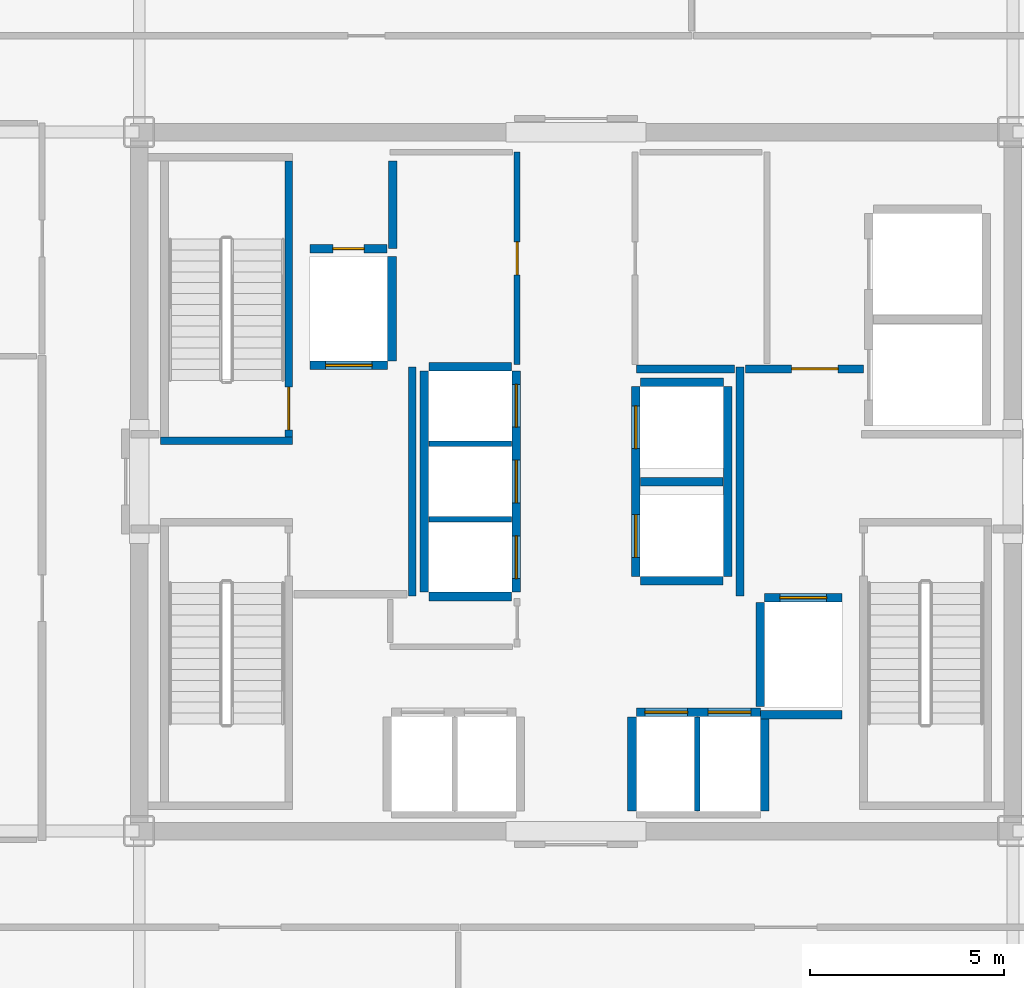
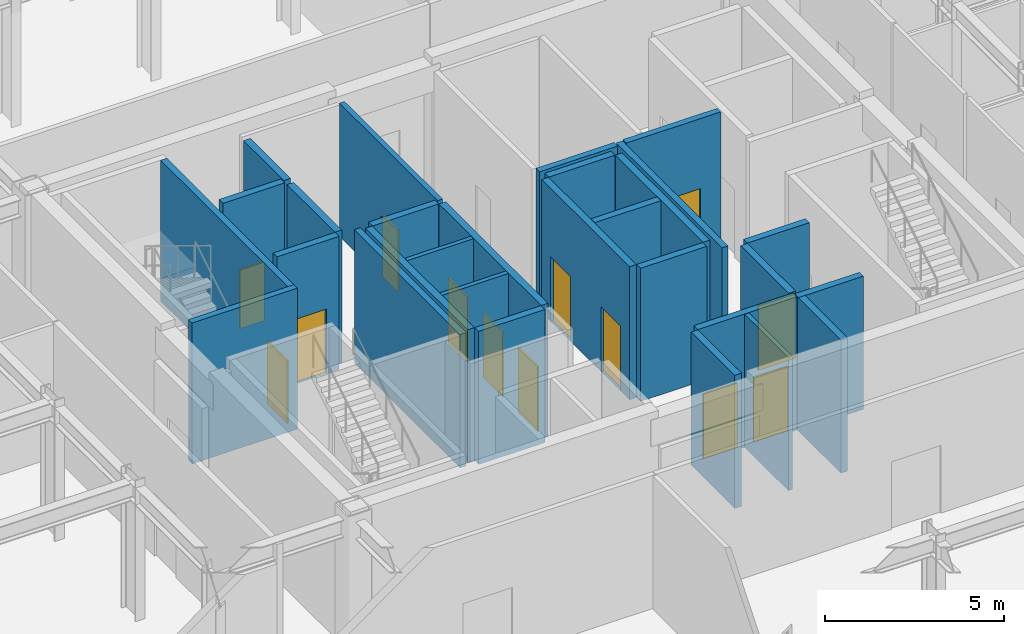
# One storey, part 15 of 20: 29 walls, 13 doors, 13 openings.
"""IFC4 building model written with IfcOpenShell, lengths in metres."""

import ifcopenshell
import ifcopenshell.guid

model = None  # the IFC model being written
_history = None  # IfcOwnerHistory: only IFC2X3 demands one
_inside = {}  # id of a spatial element -> (the spatial element, [elements in it])
_under = {}  # id of a project, library or spatial element -> (it, [spatial elements below it])
_declared = {}  # id of a project -> (the project, [libraries it declares])
_typed = {}  # id of a type object -> (the type object, [elements of that type])
_made_of = {}  # id of a material, layer set ... -> (it, [elements and type objects made of it])


def new_model(schema):
    """Start an empty IFC model of exactly this schema.

    Asked for "IFC4X3", IfcOpenShell would pick the latest addendum, in which some entities
    have other attributes; the version numbers below select the first issue.
    IFC2X3 requires an IfcOwnerHistory on every rooted entity: one is made here for all.
    """
    global model, _history
    if schema == "IFC4X3":
        model = ifcopenshell.file(schema_version=(4, 3, 0, 0))
    else:
        model = ifcopenshell.file(schema=schema)
    _inside.clear()
    _under.clear()
    _declared.clear()
    _typed.clear()
    _made_of.clear()
    _history = None
    if model.schema == "IFC2X3":
        org = make("IfcOrganization", Name="unknown")
        user = make(
            "IfcPersonAndOrganization",
            ThePerson=make("IfcPerson", FamilyName="unknown"),
            TheOrganization=org,
        )
        app = make(
            "IfcApplication",
            ApplicationDeveloper=org,
            Version="unknown",
            ApplicationFullName="unknown",
            ApplicationIdentifier="unknown",
        )
        _history = make(
            "IfcOwnerHistory",
            OwningUser=user,
            OwningApplication=app,
            ChangeAction="ADDED",
            CreationDate=0,
        )
    return model


def make(cls, **values):
    """One entity of the class cls with the attributes given. An attribute that is None is left unset."""
    return model.create_entity(
        cls, **{name: value for name, value in values.items() if value is not None}
    )


def rooted(cls, **values):
    """An entity with a GlobalId (a new one), such as an element, a storey or a relation."""
    return make(cls, GlobalId=ifcopenshell.guid.new(), OwnerHistory=_history, **values)


def si_unit(unit_type, name, prefix=None):
    """IfcSIUnit, for example si_unit("LENGTHUNIT", "METRE", prefix="MILLI")."""
    return make("IfcSIUnit", UnitType=unit_type, Prefix=prefix, Name=name)


def assignment(units):
    """IfcUnitAssignment: the units of a project."""
    return None if units is None else make("IfcUnitAssignment", Units=units)


def point(xyz):
    """IfcCartesianPoint."""
    return None if xyz is None else make("IfcCartesianPoint", Coordinates=xyz)


def direction(xyz):
    """IfcDirection."""
    return None if xyz is None else make("IfcDirection", DirectionRatios=xyz)


def frame(location, z_axis=None, x_axis=None):
    """IfcAxis2Placement3D, a coordinate frame: its origin and axes. An axis left out is left unset."""
    return make(
        "IfcAxis2Placement3D",
        Location=point(location),
        Axis=direction(z_axis),
        RefDirection=direction(x_axis),
    )


def frame_2d(location, x_axis=None):
    """IfcAxis2Placement2D, a coordinate frame in the plane: its origin and x axis."""
    return make(
        "IfcAxis2Placement2D", Location=point(location), RefDirection=direction(x_axis)
    )


def origin():
    """The frame at (0, 0, 0) with its axes left unset."""
    return frame((0.0, 0.0, 0.0))


def place(relative_to, where):
    """IfcLocalPlacement: puts the frame where relative to a parent placement (None: the world)."""
    return make(
        "IfcLocalPlacement", PlacementRelTo=relative_to, RelativePlacement=where
    )


def context(
    kind, dimensions, precision=None, world=None, true_north=None, identifier=None
):
    """IfcGeometricRepresentationContext, for example the 3D "Model" context."""
    return make(
        "IfcGeometricRepresentationContext",
        ContextIdentifier=identifier,
        ContextType=kind,
        CoordinateSpaceDimension=dimensions,
        Precision=precision,
        WorldCoordinateSystem=world,
        TrueNorth=true_north,
    )


def subcontext(parent, identifier, kind, view, scale=None):
    """IfcGeometricRepresentationSubContext, for example "Body" below "Model"."""
    return make(
        "IfcGeometricRepresentationSubContext",
        ContextIdentifier=identifier,
        ContextType=kind,
        ParentContext=parent,
        TargetScale=scale,
        TargetView=view,
    )


def project(units=None, contexts=None):
    """IfcProject with its units and contexts."""
    return rooted(
        "IfcProject",
        Name="project",
        RepresentationContexts=contexts,
        UnitsInContext=assignment(units),
    )


def spatial(cls, under=None, at=None, **own):
    """A site, building, storey or space (cls), placed at a placement, below another one or the project."""
    s = rooted(cls, ObjectPlacement=at, **own)
    if under is not None:
        _under.setdefault(under.id(), (under, []))[1].append(s)
    return s


def profile(cls, at=None, kind="AREA", **sizes):
    """A parametric profile (cls). Its sizes go by their IFC names, for example OverallWidth=200.0."""
    return make(cls, ProfileType=kind, Position=at, **sizes)


def rectangle(**sizes):
    """IfcRectangleProfileDef."""
    return profile("IfcRectangleProfileDef", **sizes)


def extrude(swept, where, along, depth):
    """IfcExtrudedAreaSolid: the profile swept, set in the frame where, extruded along a direction by depth."""
    return make(
        "IfcExtrudedAreaSolid",
        SweptArea=swept,
        Position=where,
        ExtrudedDirection=direction(along),
        Depth=depth,
    )


def shape(context_of_items, identifier, shape_type, items):
    """IfcShapeRepresentation: the items that make up one representation, for example the "Body"."""
    return make(
        "IfcShapeRepresentation",
        ContextOfItems=context_of_items,
        RepresentationIdentifier=identifier,
        RepresentationType=shape_type,
        Items=items,
    )


def source(mapping_origin, context_of_items, identifier, shape_type, items):
    """IfcRepresentationMap: a shape defined once, which mapped items show again and again."""
    return make(
        "IfcRepresentationMap",
        MappingOrigin=mapping_origin,
        MappedRepresentation=shape(context_of_items, identifier, shape_type, items),
    )


def transform(
    local_origin,
    x_axis=None,
    y_axis=None,
    z_axis=None,
    scale=None,
    scale2=None,
    scale3=None,
    uniform=True,
):
    """IfcCartesianTransformationOperator3D, or its non-uniform kind. x_axis, y_axis, z_axis: its Axis1, 2, 3."""
    if uniform:
        return make(
            "IfcCartesianTransformationOperator3D",
            Axis1=direction(x_axis),
            Axis2=direction(y_axis),
            LocalOrigin=point(local_origin),
            Scale=scale,
            Axis3=direction(z_axis),
        )
    return make(
        "IfcCartesianTransformationOperator3DnonUniform",
        Axis1=direction(x_axis),
        Axis2=direction(y_axis),
        LocalOrigin=point(local_origin),
        Scale=scale,
        Axis3=direction(z_axis),
        Scale2=scale2,
        Scale3=scale3,
    )


def mapped(mapping_source, mapping_target):
    """IfcMappedItem: shows the shape of a source again, moved by a transform."""
    return make(
        "IfcMappedItem", MappingSource=mapping_source, MappingTarget=mapping_target
    )


def material(Name=None, Category=None):
    """IfcMaterial."""
    return make("IfcMaterial", Name=Name, Category=Category)


def layer(
    of_material, thickness, ventilated=None, Name=None, Category=None, Priority=None
):
    """IfcMaterialLayer: one layer of a wall or slab, of a material (None: an air gap)."""
    return make(
        "IfcMaterialLayer",
        Material=of_material,
        LayerThickness=thickness,
        IsVentilated=ventilated,
        Name=Name,
        Category=Category,
        Priority=Priority,
    )


def layer_set(layers, Name=None):
    """IfcMaterialLayerSet."""
    return make("IfcMaterialLayerSet", MaterialLayers=layers, LayerSetName=Name)


def made_of(thing, what):
    """Note that an element or type object is made of a material, layer set ...; save() writes the relation."""
    if what is not None:
        _made_of.setdefault(what.id(), (what, []))[1].append(thing)
    return thing


def type_object(cls, material=None, **own):
    """A type object (cls), such as IfcWallType, which elements share."""
    return made_of(rooted(cls, **own), material)


def element(
    cls,
    number,
    at=None,
    inside=None,
    cuts=None,
    type_object=None,
    material=None,
    context=None,
    identifier="Body",
    shape_type=None,
    held_by="IfcProductDefinitionShape",
    body=None,
    shapes=None,
    **own,
):
    """One element of the class cls, such as IfcWall. Its Tag is "e" and its number.

    at: its placement. inside: the storey or other place that contains it. cuts: it is an
    opening in that element (IfcRelVoidsElement). A single representation is given by context,
    identifier, shape_type and body (its items); several are given by shapes. held_by: the class
    of the entity that holds the representations. save() writes the other relations.
    """
    e = rooted(cls, Tag="e%d" % number, ObjectPlacement=at, **own)
    if body is not None:
        shapes = [shape(context, identifier, shape_type, body)]
    if shapes is not None:
        e.Representation = make(held_by, Representations=shapes)
    if inside is not None:
        _inside.setdefault(inside.id(), (inside, []))[1].append(e)
    if cuts is not None:
        rooted(
            "IfcRelVoidsElement", RelatingBuildingElement=cuts, RelatedOpeningElement=e
        )
    if type_object is not None:
        _typed.setdefault(type_object.id(), (type_object, []))[1].append(e)
    return made_of(e, material)


def fill(opening, filler):
    """IfcRelFillsElement: the door or window that sits in an opening."""
    return rooted(
        "IfcRelFillsElement",
        RelatingOpeningElement=opening,
        RelatedBuildingElement=filler,
    )


def aggregate(whole, parts):
    """IfcRelAggregates: a whole, such as a stair, and the parts it consists of."""
    return rooted("IfcRelAggregates", RelatingObject=whole, RelatedObjects=parts)


def save(model, path):
    """Write the relations noted so far, then the file.

    IfcRelAggregates (storeys below a building ...), IfcRelContainedInSpatialStructure (elements
    in a storey), IfcRelDefinesByType, IfcRelAssociatesMaterial and IfcRelDeclares: one each for
    every whole, place, type object, material and project.
    """
    for whole, parts in _under.values():
        aggregate(whole, parts)
    for where, things in _inside.values():
        rooted(
            "IfcRelContainedInSpatialStructure",
            RelatedElements=things,
            RelatingStructure=where,
        )
    for kind, things in _typed.values():
        rooted("IfcRelDefinesByType", RelatedObjects=things, RelatingType=kind)
    for what, things in _made_of.values():
        rooted("IfcRelAssociatesMaterial", RelatedObjects=things, RelatingMaterial=what)
    for by, libraries in _declared.values():
        rooted("IfcRelDeclares", RelatingContext=by, RelatedDefinitions=libraries)
    model.write(path)


model = new_model("IFC4")

# Units and contexts
model_context = context("Model", 3, precision=1e-05, world=origin(), true_north=direction((0.0, 1.0)))
body_context = subcontext(model_context, "Body", "Model", "MODEL_VIEW")
ifc_project = project(units=[si_unit("LENGTHUNIT", "METRE"), si_unit("AREAUNIT", "SQUARE_METRE"), si_unit("VOLUMEUNIT", "CUBIC_METRE"), si_unit("PLANEANGLEUNIT", "RADIAN"), si_unit("MASSUNIT", "GRAM", prefix="KILO")], contexts=[model_context])

# Site, building, storey
site_placement = place(None, origin())
site = spatial("IfcSite", under=ifc_project, at=site_placement, CompositionType="ELEMENT")
building_placement = place(site_placement, origin())
building = spatial("IfcBuilding", under=site, at=building_placement, Name="Nefas-Gora Pilgrimage Tower", CompositionType="ELEMENT")
storey_placement = place(building_placement, frame((0.0, 0.0, 259.800048828125)))
storey = spatial("IfcBuildingStorey", under=building, at=storey_placement, Name="L65", CompositionType="ELEMENT", Elevation=259.800048828125)

# Wall
ifc_material_1 = material(Name="Concrete C45/55", Category="concrete")
ifc_layer_1 = layer(ifc_material_1, 0.199951171875)
ifc_layer_set_1 = layer_set([ifc_layer_1], Name="Concrete C45/55")
wall_type_1 = type_object("IfcWallType", Name="IW-STAIR-200", PredefinedType="SOLIDWALL", material=ifc_layer_set_1)
shared_shape_1 = source(origin(), body_context, "Body", "SweptSolid", [
    extrude(rectangle(XDim=3.39990234375, YDim=0.199951171875, at=frame_2d((1.699951171875, 0.0))), origin(), (0.0, 0.0, 1.0), 4.800048828125),
])
wall_1_placement = place(storey_placement, frame((-7.300048828125, 1.050048828125, 0.0), z_axis=(0.0, 0.0, 1.0), x_axis=(-1.0, 0.0, 0.0)))
element("IfcWall", 1, at=wall_1_placement, inside=storey, type_object=wall_type_1, Name="L65 Stairwell Shear Wall ST-01-near", PredefinedType="SOLIDWALL", context=body_context, shape_type="MappedRepresentation", body=[
    mapped(shared_shape_1, transform((0.0, 0.0, 0.0), x_axis=(1.0, 0.0, 0.0), y_axis=(0.0, 1.0, 0.0), z_axis=(0.0, 0.0, 1.0), scale=1.0)),
])

# Wall, opening, door
shared_shape_2 = source(origin(), body_context, "Body", "SweptSolid", [
    extrude(rectangle(XDim=7.10009765625, YDim=0.199951171875, at=frame_2d((3.550048828125, 0.0))), origin(), (0.0, 0.0, 1.0), 4.800048828125),
])
wall_2_placement = place(storey_placement, frame((-7.39990234375, 1.14990234375, 0.0), z_axis=(0.0, 0.0, 1.0), x_axis=(0.0, 1.0, 0.0)))
wall_2 = element("IfcWall", 2, at=wall_2_placement, inside=storey, type_object=wall_type_1, Name="L65 Stairwell Shear Wall ST-01-left", PredefinedType="SOLIDWALL", context=body_context, shape_type="MappedRepresentation", body=[
    mapped(shared_shape_2, transform((0.0, 0.0, 0.0), x_axis=(1.0, 0.0, 0.0), y_axis=(0.0, 1.0, 0.0), z_axis=(0.0, 0.0, 1.0), scale=1.0)),
])
opening_1_placement = place(wall_2_placement, frame((0.179931640625, 0.0, 0.0)))
opening_1 = element("IfcOpeningElement", 3, at=opening_1_placement, cuts=wall_2, Name="Opening ID-ST1", PredefinedType="OPENING", context=body_context, shape_type="SweptSolid", body=[
    extrude(rectangle(XDim=1.10009765625, YDim=2.14990234375, at=frame_2d((0.550048828125, 1.074951171875))), frame((0.0, 0.10986328125, 0.0), z_axis=(0.0, -1.0, 0.0), x_axis=(1.0, 0.0, 0.0)), (0.0, 0.0, 1.0), 0.219970703125),
])
ifc_material_2 = material(Name="Painted galvanised steel fire stair door", Category="steel")
door_type_1 = type_object("IfcDoorType", Name="DR-INT-STAIR-1100", OperationType="NOTDEFINED", PredefinedType="DOOR", material=ifc_material_2)
shared_shape_3 = source(origin(), body_context, "Body", "SweptSolid", [
    extrude(rectangle(XDim=1.10009765625, YDim=2.14990234375, at=frame_2d((0.550048828125, 1.074951171875))), frame((0.0, 0.02490234375, 0.0), z_axis=(0.0, -1.0, 0.0), x_axis=(1.0, 0.0, 0.0)), (0.0, 0.0, 1.0), 0.050048828125),
])
door_1_placement = place(opening_1_placement, origin())
door_1 = element("IfcDoor", 4, at=door_1_placement, inside=storey, type_object=door_type_1, Name="L65 Protected Exit Stair Door ST-01", OperationType="SINGLE_SWING_LEFT", OverallHeight=2.14990234375, OverallWidth=1.10009765625, PredefinedType="DOOR", context=body_context, shape_type="MappedRepresentation", body=[
    mapped(shared_shape_3, transform((0.0, 0.0, 0.0), x_axis=(1.0, 0.0, 0.0), y_axis=(0.0, 1.0, 0.0), z_axis=(0.0, 0.0, 1.0), scale=1.0)),
])
fill(opening_1, door_1)

ifc_material_3 = material(Name="Concrete C40/50", Category="concrete")
ifc_layer_2 = layer(ifc_material_3, 0.219970703125)
ifc_layer_set_2 = layer_set([ifc_layer_2], Name="Concrete C40/50")
wall_type_2 = type_object("IfcWallType", Name="IW-SHAFT-220", PredefinedType="SOLIDWALL", material=ifc_layer_set_2)
shared_shape_4 = source(origin(), body_context, "Body", "SweptSolid", [
    extrude(rectangle(XDim=2.0, YDim=0.219970703125, at=frame_2d((1.0, 0.0))), origin(), (0.0, 0.0, 1.0), 4.534912109375),
])
wall_3_placement = place(storey_placement, frame((-6.85009765625, 2.989990234375, 0.0), z_axis=(0.0, 0.0, 1.0), x_axis=(1.0, 0.0, 0.0)))
wall_3 = element("IfcWall", 5, at=wall_3_placement, inside=storey, type_object=wall_type_2, Name="L65 Hoistway Wall FFL-01-S", PredefinedType="SOLIDWALL", context=body_context, shape_type="MappedRepresentation", body=[
    mapped(shared_shape_4, transform((0.0, 0.0, 0.0), x_axis=(1.0, 0.0, 0.0), y_axis=(0.0, 1.0, 0.0), z_axis=(0.0, 0.0, 1.0), scale=1.0)),
])
opening_2_placement = place(wall_3_placement, frame((0.39990234375, 0.0, 0.0)))
opening_2 = element("IfcOpeningElement", 6, at=opening_2_placement, cuts=wall_3, Name="Opening LD-FF", PredefinedType="OPENING", context=body_context, shape_type="SweptSolid", body=[
    extrude(rectangle(XDim=1.199951171875, YDim=2.199951171875, at=frame_2d((0.60009765625, 1.10009765625))), frame((0.0, 0.119873046875, 0.0), z_axis=(0.0, -1.0, 0.0), x_axis=(1.0, 0.0, 0.0)), (0.0, 0.0, 1.0), 0.239990234375),
])
ifc_material_4 = material(Name="Fire-service sliding lift landing door")
door_type_2 = type_object("IfcDoorType", Name="DR-LIFT-FSAE-1200", OperationType="SLIDING_TO_LEFT", PredefinedType="DOOR", material=ifc_material_4)
shared_shape_5 = source(origin(), body_context, "Body", "SweptSolid", [
    extrude(rectangle(XDim=1.199951171875, YDim=2.199951171875, at=frame_2d((0.60009765625, 1.10009765625))), frame((0.0, 0.02490234375, 0.0), z_axis=(0.0, -1.0, 0.0), x_axis=(1.0, 0.0, 0.0)), (0.0, 0.0, 1.0), 0.050048828125),
])
door_2_placement = place(opening_2_placement, origin())
door_2 = element("IfcDoor", 7, at=door_2_placement, inside=storey, type_object=door_type_2, Name="L65 Sliding Lift Landing Door FFL-01", OperationType="SLIDING_TO_LEFT", OverallHeight=2.199951171875, OverallWidth=1.199951171875, PredefinedType="DOOR", context=body_context, shape_type="MappedRepresentation", body=[
    mapped(shared_shape_5, transform((0.0, 0.0, 0.0), x_axis=(1.0, 0.0, 0.0), y_axis=(0.0, 1.0, 0.0), z_axis=(0.0, 0.0, 1.0), scale=1.0)),
])
fill(opening_2, door_2)

wall_4_placement = place(storey_placement, frame((6.85009765625, -2.989990234375, 0.0), z_axis=(0.0, 0.0, 1.0), x_axis=(-1.0, 0.0, 0.0)))
wall_4 = element("IfcWall", 8, at=wall_4_placement, inside=storey, type_object=wall_type_2, Name="L65 Hoistway Wall FFL-02-N", PredefinedType="SOLIDWALL", context=body_context, shape_type="MappedRepresentation", body=[
    mapped(shared_shape_4, transform((0.0, 0.0, 0.0), x_axis=(1.0, 0.0, 0.0), y_axis=(0.0, 1.0, 0.0), z_axis=(0.0, 0.0, 1.0), scale=1.0)),
])
opening_3_placement = place(wall_4_placement, frame((0.39990234375, 0.0, 0.0)))
opening_3 = element("IfcOpeningElement", 9, at=opening_3_placement, cuts=wall_4, Name="Opening LD-FF", PredefinedType="OPENING", context=body_context, shape_type="SweptSolid", body=[
    extrude(rectangle(XDim=1.199951171875, YDim=2.199951171875, at=frame_2d((0.60009765625, 1.10009765625))), frame((0.0, 0.119873046875, 0.0), z_axis=(0.0, -1.0, 0.0), x_axis=(1.0, 0.0, 0.0)), (0.0, 0.0, 1.0), 0.239990234375),
])
door_3_placement = place(opening_3_placement, origin())
door_3 = element("IfcDoor", 10, at=door_3_placement, inside=storey, type_object=door_type_2, Name="L65 Sliding Lift Landing Door FFL-02", OperationType="SLIDING_TO_LEFT", OverallHeight=2.199951171875, OverallWidth=1.199951171875, PredefinedType="DOOR", context=body_context, shape_type="MappedRepresentation", body=[
    mapped(shared_shape_5, transform((0.0, 0.0, 0.0), x_axis=(1.0, 0.0, 0.0), y_axis=(0.0, 1.0, 0.0), z_axis=(0.0, 0.0, 1.0), scale=1.0)),
])
fill(opening_3, door_3)

# Walls
shared_shape_6 = source(origin(), body_context, "Body", "SweptSolid", [
    extrude(rectangle(XDim=2.679931640625, YDim=0.219970703125, at=frame_2d((1.33984375, 0.0))), origin(), (0.0, 0.0, 1.0), 4.534912109375),
])
for number, where, z_axis, x_axis, name in (
    (11, (-4.739990234375, 3.110107421875, 0.0), (0.0, 0.0, 1.0), (0.0, 1.0, 0.0), "L65 Hoistway Wall FFL-01-E"),
    (12, (4.739990234375, -3.110107421875, 0.0), (0.0, 0.0, 1.0), (0.0, -1.0, 0.0), "L65 Hoistway Wall FFL-02-W"),
):
    element("IfcWall", number, at=place(storey_placement, frame(where, z_axis=z_axis, x_axis=x_axis)), inside=storey, type_object=wall_type_2, Name=name, PredefinedType="SOLIDWALL", context=body_context, shape_type="MappedRepresentation", body=[
        mapped(shared_shape_6, transform((0.0, 0.0, 0.0), x_axis=(1.0, 0.0, 0.0), y_axis=(0.0, 1.0, 0.0), z_axis=(0.0, 0.0, 1.0), scale=1.0)),
    ])

# Wall, openings, doors
shared_shape_7 = source(origin(), body_context, "Body", "SweptSolid", [
    extrude(rectangle(XDim=3.199951171875, YDim=0.219970703125, at=frame_2d((1.60009765625, 0.0))), origin(), (0.0, 0.0, 1.0), 4.534912109375),
])
wall_5_placement = place(storey_placement, frame((4.75, -5.93994140625, 0.0), z_axis=(0.0, 0.0, 1.0), x_axis=(-1.0, 0.0, 0.0)))
wall_5 = element("IfcWall", 13, at=wall_5_placement, inside=storey, type_object=wall_type_2, Name="L65 Hoistway Wall PL2-E-N", PredefinedType="SOLIDWALL", context=body_context, shape_type="MappedRepresentation", body=[
    mapped(shared_shape_7, transform((0.0, 0.0, 0.0), x_axis=(1.0, 0.0, 0.0), y_axis=(0.0, 1.0, 0.0), z_axis=(0.0, 0.0, 1.0), scale=1.0)),
])
opening_4_placement = place(wall_5_placement, frame((1.875, 0.0, 0.0)))
opening_4 = element("IfcOpeningElement", 14, at=opening_4_placement, cuts=wall_5, Name="Opening LD-01", PredefinedType="OPENING", context=body_context, shape_type="SweptSolid", body=[
    extrude(rectangle(XDim=1.10009765625, YDim=2.199951171875, at=frame_2d((0.550048828125, 1.10009765625))), frame((0.0, 0.119873046875, 0.0), z_axis=(0.0, -1.0, 0.0), x_axis=(1.0, 0.0, 0.0)), (0.0, 0.0, 1.0), 0.239990234375),
])
opening_5_placement = place(wall_5_placement, frame((0.25, 0.0, 0.0)))
opening_5 = element("IfcOpeningElement", 15, at=opening_5_placement, cuts=wall_5, Name="Opening LD-01", PredefinedType="OPENING", context=body_context, shape_type="SweptSolid", body=[
    extrude(rectangle(XDim=1.10009765625, YDim=2.199951171875, at=frame_2d((0.550048828125, 1.10009765625))), frame((0.0, 0.119873046875, 0.0), z_axis=(0.0, -1.0, 0.0), x_axis=(1.0, 0.0, 0.0)), (0.0, 0.0, 1.0), 0.239990234375),
])
ifc_material_5 = material(Name="Brushed stainless sliding lift landing door")
door_type_3 = type_object("IfcDoorType", Name="DR-LIFT-PASS-1100", OperationType="DOUBLE_DOOR_SLIDING", PredefinedType="DOOR", material=ifc_material_5)
shared_shape_8 = source(origin(), body_context, "Body", "SweptSolid", [
    extrude(rectangle(XDim=1.10009765625, YDim=2.199951171875, at=frame_2d((0.550048828125, 1.10009765625))), frame((0.0, 0.02490234375, 0.0), z_axis=(0.0, -1.0, 0.0), x_axis=(1.0, 0.0, 0.0)), (0.0, 0.0, 1.0), 0.050048828125),
])
door_4_placement = place(opening_4_placement, origin())
door_4 = element("IfcDoor", 16, at=door_4_placement, inside=storey, type_object=door_type_3, Name="L65 Sliding Lift Landing Door PL2-03", OperationType="DOUBLE_DOOR_SLIDING", OverallHeight=2.199951171875, OverallWidth=1.10009765625, PredefinedType="DOOR", context=body_context, shape_type="MappedRepresentation", body=[
    mapped(shared_shape_8, transform((0.0, 0.0, 0.0), x_axis=(1.0, 0.0, 0.0), y_axis=(0.0, 1.0, 0.0), z_axis=(0.0, 0.0, 1.0), scale=1.0)),
])
fill(opening_4, door_4)
door_5_placement = place(opening_5_placement, origin())
door_5 = element("IfcDoor", 17, at=door_5_placement, inside=storey, type_object=door_type_3, Name="L65 Sliding Lift Landing Door PL2-04", OperationType="DOUBLE_DOOR_SLIDING", OverallHeight=2.199951171875, OverallWidth=1.10009765625, PredefinedType="DOOR", context=body_context, shape_type="MappedRepresentation", body=[
    mapped(shared_shape_8, transform((0.0, 0.0, 0.0), x_axis=(1.0, 0.0, 0.0), y_axis=(0.0, 1.0, 0.0), z_axis=(0.0, 0.0, 1.0), scale=1.0)),
])
fill(opening_5, door_5)

# Walls
shared_shape_9 = source(origin(), body_context, "Body", "SweptSolid", [
    extrude(rectangle(XDim=2.429931640625, YDim=0.219970703125, at=frame_2d((1.21484375, 0.0))), origin(), (0.0, 0.0, 1.0), 4.534912109375),
])
for number, where, z_axis, x_axis, name in (
    (18, (1.43994140625, -6.06005859375, 0.0), (0.0, 0.0, 1.0), (0.0, -1.0, 0.0), "L65 Hoistway Wall PL2-E-W"),
    (19, (4.860107421875, -8.489990234375, 0.0), (0.0, 0.0, 1.0), (0.0, 1.0, 0.0), "L65 Hoistway Wall PL2-E-E"),
):
    element("IfcWall", number, at=place(storey_placement, frame(where, z_axis=z_axis, x_axis=x_axis)), inside=storey, type_object=wall_type_2, Name=name, PredefinedType="SOLIDWALL", context=body_context, shape_type="MappedRepresentation", body=[
        mapped(shared_shape_9, transform((0.0, 0.0, 0.0), x_axis=(1.0, 0.0, 0.0), y_axis=(0.0, 1.0, 0.0), z_axis=(0.0, 0.0, 1.0), scale=1.0)),
    ])
ifc_material_6 = material(Name="Gypsum twin-stud partition")
ifc_layer_3 = layer(ifc_material_6, 0.139892578125)
ifc_layer_set_3 = layer_set([ifc_layer_3], Name="Gypsum twin-stud partition")
wall_type_3 = type_object("IfcWallType", Name="IW-UNIT-140", PredefinedType="PARTITIONING", material=ifc_layer_set_3)
shared_shape_10 = source(origin(), body_context, "Body", "SweptSolid", [
    extrude(rectangle(XDim=2.429931640625, YDim=0.139892578125, at=frame_2d((1.21484375, 0.0))), origin(), (0.0, 0.0, 1.0), 4.534912109375),
])
wall_6_placement = place(storey_placement, frame((3.125, -8.489990234375, 0.0), z_axis=(0.0, 0.0, 1.0), x_axis=(0.0, 1.0, 0.0)))
element("IfcWall", 20, at=wall_6_placement, inside=storey, type_object=wall_type_3, Name="L65 Hoistway Wall PL2-E-DIV", PredefinedType="PARTITIONING", context=body_context, shape_type="MappedRepresentation", body=[
    mapped(shared_shape_10, transform((0.0, 0.0, 0.0), x_axis=(1.0, 0.0, 0.0), y_axis=(0.0, 1.0, 0.0), z_axis=(0.0, 0.0, 1.0), scale=1.0)),
])

# Wall, openings, doors
shared_shape_11 = source(origin(), body_context, "Body", "SweptSolid", [
    extrude(rectangle(XDim=5.7001953125, YDim=0.219970703125, at=frame_2d((2.85009765625, 0.0))), origin(), (0.0, 0.0, 1.0), 4.534912109375),
])
wall_7_placement = place(storey_placement, frame((-1.5400390625, -2.85009765625, 0.0), z_axis=(0.0, 0.0, 1.0), x_axis=(0.0, 1.0, 0.0)))
wall_7 = element("IfcWall", 21, at=wall_7_placement, inside=storey, type_object=wall_type_2, Name="L65 Hoistway Wall PL3-01-03-E", PredefinedType="SOLIDWALL", context=body_context, shape_type="MappedRepresentation", body=[
    mapped(shared_shape_11, transform((0.0, 0.0, 0.0), x_axis=(1.0, 0.0, 0.0), y_axis=(0.0, 1.0, 0.0), z_axis=(0.0, 0.0, 1.0), scale=1.0)),
])
opening_6_placement = place(wall_7_placement, frame((0.35009765625, 0.0, 0.0)))
opening_6 = element("IfcOpeningElement", 22, at=opening_6_placement, cuts=wall_7, Name="Opening LD-01", PredefinedType="OPENING", context=body_context, shape_type="SweptSolid", body=[
    extrude(rectangle(XDim=1.10009765625, YDim=2.199951171875, at=frame_2d((0.550048828125, 1.10009765625))), frame((0.0, 0.119873046875, 0.0), z_axis=(0.0, -1.0, 0.0), x_axis=(1.0, 0.0, 0.0)), (0.0, 0.0, 1.0), 0.239990234375),
])
opening_7_placement = place(wall_7_placement, frame((2.300048828125, 0.0, 0.0)))
opening_7 = element("IfcOpeningElement", 23, at=opening_7_placement, cuts=wall_7, Name="Opening LD-01", PredefinedType="OPENING", context=body_context, shape_type="SweptSolid", body=[
    extrude(rectangle(XDim=1.10009765625, YDim=2.199951171875, at=frame_2d((0.550048828125, 1.10009765625))), frame((0.0, 0.119873046875, 0.0), z_axis=(0.0, -1.0, 0.0), x_axis=(1.0, 0.0, 0.0)), (0.0, 0.0, 1.0), 0.239990234375),
])
opening_8_placement = place(wall_7_placement, frame((4.25, 0.0, 0.0)))
opening_8 = element("IfcOpeningElement", 24, at=opening_8_placement, cuts=wall_7, Name="Opening LD-01", PredefinedType="OPENING", context=body_context, shape_type="SweptSolid", body=[
    extrude(rectangle(XDim=1.10009765625, YDim=2.199951171875, at=frame_2d((0.550048828125, 1.10009765625))), frame((0.0, 0.119873046875, 0.0), z_axis=(0.0, -1.0, 0.0), x_axis=(1.0, 0.0, 0.0)), (0.0, 0.0, 1.0), 0.239990234375),
])
door_6_placement = place(opening_6_placement, origin())
door_6 = element("IfcDoor", 25, at=door_6_placement, inside=storey, type_object=door_type_3, Name="L65 Sliding Lift Landing Door PL3-01", OperationType="DOUBLE_DOOR_SLIDING", OverallHeight=2.199951171875, OverallWidth=1.10009765625, PredefinedType="DOOR", context=body_context, shape_type="MappedRepresentation", body=[
    mapped(shared_shape_8, transform((0.0, 0.0, 0.0), x_axis=(1.0, 0.0, 0.0), y_axis=(0.0, 1.0, 0.0), z_axis=(0.0, 0.0, 1.0), scale=1.0)),
])
fill(opening_6, door_6)
door_7_placement = place(opening_7_placement, origin())
door_7 = element("IfcDoor", 26, at=door_7_placement, inside=storey, type_object=door_type_3, Name="L65 Sliding Lift Landing Door PL3-02", OperationType="DOUBLE_DOOR_SLIDING", OverallHeight=2.199951171875, OverallWidth=1.10009765625, PredefinedType="DOOR", context=body_context, shape_type="MappedRepresentation", body=[
    mapped(shared_shape_8, transform((0.0, 0.0, 0.0), x_axis=(1.0, 0.0, 0.0), y_axis=(0.0, 1.0, 0.0), z_axis=(0.0, 0.0, 1.0), scale=1.0)),
])
fill(opening_7, door_7)
door_8_placement = place(opening_8_placement, origin())
door_8 = element("IfcDoor", 27, at=door_8_placement, inside=storey, type_object=door_type_3, Name="L65 Sliding Lift Landing Door PL3-03", OperationType="DOUBLE_DOOR_SLIDING", OverallHeight=2.199951171875, OverallWidth=1.10009765625, PredefinedType="DOOR", context=body_context, shape_type="MappedRepresentation", body=[
    mapped(shared_shape_8, transform((0.0, 0.0, 0.0), x_axis=(1.0, 0.0, 0.0), y_axis=(0.0, 1.0, 0.0), z_axis=(0.0, 0.0, 1.0), scale=1.0)),
])
fill(opening_8, door_8)

# Walls
wall_8_placement = place(storey_placement, frame((-3.909912109375, 2.85009765625, 0.0), z_axis=(0.0, 0.0, 1.0), x_axis=(0.0, -1.0, 0.0)))
element("IfcWall", 28, at=wall_8_placement, inside=storey, type_object=wall_type_2, Name="L65 Hoistway Wall PL3-01-03-W", PredefinedType="SOLIDWALL", context=body_context, shape_type="MappedRepresentation", body=[
    mapped(shared_shape_11, transform((0.0, 0.0, 0.0), x_axis=(1.0, 0.0, 0.0), y_axis=(0.0, 1.0, 0.0), z_axis=(0.0, 0.0, 1.0), scale=1.0)),
])
shared_shape_12 = source(origin(), body_context, "Body", "SweptSolid", [
    extrude(rectangle(XDim=2.130126953125, YDim=0.219970703125, at=frame_2d((1.06494140625, 0.0))), origin(), (0.0, 0.0, 1.0), 4.534912109375),
])
for number, where, z_axis, x_axis, name in (
    (29, (-3.7900390625, -2.9599609375, 0.0), (0.0, 0.0, 1.0), (1.0, 0.0, 0.0), "L65 Hoistway Wall PL3-01-S"),
    (30, (-1.659912109375, 2.9599609375, 0.0), (0.0, 0.0, 1.0), (-1.0, 0.0, 0.0), "L65 Hoistway Wall PL3-03-N"),
    (31, (1.659912109375, -2.56005859375, 0.0), (0.0, 0.0, 1.0), (1.0, 0.0, 0.0), "L65 Hoistway Wall OBS-01-S"),
    (32, (1.659912109375, 0.0, 0.0), (0.0, 0.0, 1.0), (1.0, 0.0, 0.0), "L65 Hoistway Wall OBS-01-02-DIV"),
    (33, (3.7900390625, 2.56005859375, 0.0), (0.0, 0.0, 1.0), (-1.0, 0.0, 0.0), "L65 Hoistway Wall OBS-02-N"),
):
    element("IfcWall", number, at=place(storey_placement, frame(where, z_axis=z_axis, x_axis=x_axis)), inside=storey, type_object=wall_type_2, Name=name, PredefinedType="SOLIDWALL", context=body_context, shape_type="MappedRepresentation", body=[
        mapped(shared_shape_12, transform((0.0, 0.0, 0.0), x_axis=(1.0, 0.0, 0.0), y_axis=(0.0, 1.0, 0.0), z_axis=(0.0, 0.0, 1.0), scale=1.0)),
    ])
shared_shape_13 = source(origin(), body_context, "Body", "SweptSolid", [
    extrude(rectangle(XDim=2.130126953125, YDim=0.139892578125, at=frame_2d((1.06494140625, 0.0))), origin(), (0.0, 0.0, 1.0), 4.534912109375),
])
for number, where, z_axis, x_axis, name in (
    (34, (-3.7900390625, -0.97509765625, 0.0), (0.0, 0.0, 1.0), (1.0, 0.0, 0.0), "L65 Hoistway Wall PL3-01-02-DIV"),
    (35, (-3.7900390625, 0.97509765625, 0.0), (0.0, 0.0, 1.0), (1.0, 0.0, 0.0), "L65 Hoistway Wall PL3-02-03-DIV"),
):
    element("IfcWall", number, at=place(storey_placement, frame(where, z_axis=z_axis, x_axis=x_axis)), inside=storey, type_object=wall_type_3, Name=name, PredefinedType="PARTITIONING", context=body_context, shape_type="MappedRepresentation", body=[
        mapped(shared_shape_13, transform((0.0, 0.0, 0.0), x_axis=(1.0, 0.0, 0.0), y_axis=(0.0, 1.0, 0.0), z_axis=(0.0, 0.0, 1.0), scale=1.0)),
    ])

# Wall, openings, doors
shared_shape_14 = source(origin(), body_context, "Body", "SweptSolid", [
    extrude(rectangle(XDim=4.89990234375, YDim=0.219970703125, at=frame_2d((2.449951171875, 0.0))), origin(), (0.0, 0.0, 1.0), 4.534912109375),
])
wall_9_placement = place(storey_placement, frame((1.5400390625, 2.449951171875, 0.0), z_axis=(0.0, 0.0, 1.0), x_axis=(0.0, -1.0, 0.0)))
wall_9 = element("IfcWall", 36, at=wall_9_placement, inside=storey, type_object=wall_type_2, Name="L65 Hoistway Wall OBS-01-02-W", PredefinedType="SOLIDWALL", context=body_context, shape_type="MappedRepresentation", body=[
    mapped(shared_shape_14, transform((0.0, 0.0, 0.0), x_axis=(1.0, 0.0, 0.0), y_axis=(0.0, 1.0, 0.0), z_axis=(0.0, 0.0, 1.0), scale=1.0)),
])
opening_9_placement = place(wall_9_placement, frame((3.300048828125, 0.0, 0.0)))
opening_9 = element("IfcOpeningElement", 37, at=opening_9_placement, cuts=wall_9, Name="Opening LD-01", PredefinedType="OPENING", context=body_context, shape_type="SweptSolid", body=[
    extrude(rectangle(XDim=1.10009765625, YDim=2.199951171875, at=frame_2d((0.550048828125, 1.10009765625))), frame((0.0, 0.119873046875, 0.0), z_axis=(0.0, -1.0, 0.0), x_axis=(1.0, 0.0, 0.0)), (0.0, 0.0, 1.0), 0.239990234375),
])
opening_10_placement = place(wall_9_placement, frame((0.5, 0.0, 0.0)))
opening_10 = element("IfcOpeningElement", 38, at=opening_10_placement, cuts=wall_9, Name="Opening LD-01", PredefinedType="OPENING", context=body_context, shape_type="SweptSolid", body=[
    extrude(rectangle(XDim=1.10009765625, YDim=2.199951171875, at=frame_2d((0.550048828125, 1.10009765625))), frame((0.0, 0.119873046875, 0.0), z_axis=(0.0, -1.0, 0.0), x_axis=(1.0, 0.0, 0.0)), (0.0, 0.0, 1.0), 0.239990234375),
])
door_9_placement = place(opening_9_placement, origin())
door_9 = element("IfcDoor", 39, at=door_9_placement, inside=storey, type_object=door_type_3, Name="L65 Sliding Lift Landing Door OBS-01", OperationType="DOUBLE_DOOR_SLIDING", OverallHeight=2.199951171875, OverallWidth=1.10009765625, PredefinedType="DOOR", context=body_context, shape_type="MappedRepresentation", body=[
    mapped(shared_shape_8, transform((0.0, 0.0, 0.0), x_axis=(1.0, 0.0, 0.0), y_axis=(0.0, 1.0, 0.0), z_axis=(0.0, 0.0, 1.0), scale=1.0)),
])
fill(opening_9, door_9)
door_10_placement = place(opening_10_placement, origin())
door_10 = element("IfcDoor", 40, at=door_10_placement, inside=storey, type_object=door_type_3, Name="L65 Sliding Lift Landing Door OBS-02", OperationType="DOUBLE_DOOR_SLIDING", OverallHeight=2.199951171875, OverallWidth=1.10009765625, PredefinedType="DOOR", context=body_context, shape_type="MappedRepresentation", body=[
    mapped(shared_shape_8, transform((0.0, 0.0, 0.0), x_axis=(1.0, 0.0, 0.0), y_axis=(0.0, 1.0, 0.0), z_axis=(0.0, 0.0, 1.0), scale=1.0)),
])
fill(opening_10, door_10)

# Walls
wall_10_placement = place(storey_placement, frame((3.909912109375, -2.449951171875, 0.0), z_axis=(0.0, 0.0, 1.0), x_axis=(0.0, 1.0, 0.0)))
element("IfcWall", 41, at=wall_10_placement, inside=storey, type_object=wall_type_2, Name="L65 Hoistway Wall OBS-01-02-E", PredefinedType="SOLIDWALL", context=body_context, shape_type="MappedRepresentation", body=[
    mapped(shared_shape_14, transform((0.0, 0.0, 0.0), x_axis=(1.0, 0.0, 0.0), y_axis=(0.0, 1.0, 0.0), z_axis=(0.0, 0.0, 1.0), scale=1.0)),
])
shared_shape_15 = source(origin(), body_context, "Body", "SweptSolid", [
    extrude(rectangle(XDim=2.09521484375, YDim=0.219970703125, at=frame_2d((1.047607421875, 0.0))), origin(), (0.0, 0.0, 1.0), 4.534912109375),
])
wall_11_placement = place(storey_placement, frame((4.7548828125, -6.0, 0.0), z_axis=(0.0, 0.0, 1.0), x_axis=(1.0, 0.0, 0.0)))
element("IfcWall", 42, at=wall_11_placement, inside=storey, type_object=wall_type_2, Name="L65 Riser Shaft Wall 3", PredefinedType="SOLIDWALL", context=body_context, shape_type="MappedRepresentation", body=[
    mapped(shared_shape_15, transform((0.0, 0.0, 0.0), x_axis=(1.0, 0.0, 0.0), y_axis=(0.0, 1.0, 0.0), z_axis=(0.0, 0.0, 1.0), scale=1.0)),
])
ifc_material_7 = material(Name="Gypsum fire-rated shaftwall")
ifc_layer_4 = layer(ifc_material_7, 0.199951171875)
ifc_layer_set_4 = layer_set([ifc_layer_4], Name="Gypsum fire-rated shaftwall")
wall_type_4 = type_object("IfcWallType", Name="IW-FFLOB-200", PredefinedType="PARTITIONING", material=ifc_layer_set_4)
shared_shape_16 = source(origin(), body_context, "Body", "SweptSolid", [
    extrude(rectangle(XDim=5.89990234375, YDim=0.199951171875, at=frame_2d((2.949951171875, 0.0))), origin(), (0.0, 0.0, 1.0), 4.534912109375),
])
for number, where, z_axis, x_axis, name in (
    (43, (-4.219970703125, -2.949951171875, 0.0), (0.0, 0.0, 1.0), (0.0, 1.0, 0.0), "L65 FF Lobby West Inner Wall Wall 5"),
    (44, (4.219970703125, -2.949951171875, 0.0), (0.0, 0.0, 1.0), (0.0, 1.0, 0.0), "L65 FF Lobby East Inner Wall Wall 10"),
):
    element("IfcWall", number, at=place(storey_placement, frame(where, z_axis=z_axis, x_axis=x_axis)), inside=storey, type_object=wall_type_4, Name=name, PredefinedType="PARTITIONING", context=body_context, shape_type="MappedRepresentation", body=[
        mapped(shared_shape_16, transform((0.0, 0.0, 0.0), x_axis=(1.0, 0.0, 0.0), y_axis=(0.0, 1.0, 0.0), z_axis=(0.0, 0.0, 1.0), scale=1.0)),
    ])

# Wall, opening, door
shared_shape_17 = source(origin(), body_context, "Body", "SweptSolid", [
    extrude(rectangle(XDim=3.039794921875, YDim=0.199951171875, at=frame_2d((1.52001953125, 0.0))), origin(), (0.0, 0.0, 1.0), 4.534912109375),
])
wall_12_placement = place(storey_placement, frame((4.360107421875, 2.89990234375, 0.0), z_axis=(0.0, 0.0, 1.0), x_axis=(1.0, 0.0, 0.0)))
wall_12 = element("IfcWall", 45, at=wall_12_placement, inside=storey, type_object=wall_type_4, Name="L65 FF Lobby East North Wall Wall 12", PredefinedType="PARTITIONING", context=body_context, shape_type="MappedRepresentation", body=[
    mapped(shared_shape_17, transform((0.0, 0.0, 0.0), x_axis=(1.0, 0.0, 0.0), y_axis=(0.0, 1.0, 0.0), z_axis=(0.0, 0.0, 1.0), scale=1.0)),
])
opening_11_placement = place(wall_12_placement, frame((1.18994140625, 0.0, 0.0)))
opening_11 = element("IfcOpeningElement", 46, at=opening_11_placement, cuts=wall_12, Name="Opening ID-PL1", PredefinedType="OPENING", context=body_context, shape_type="SweptSolid", body=[
    extrude(rectangle(XDim=1.199951171875, YDim=2.14990234375, at=frame_2d((0.60009765625, 1.074951171875))), frame((0.0, 0.10986328125, 0.0), z_axis=(0.0, -1.0, 0.0), x_axis=(1.0, 0.0, 0.0)), (0.0, 0.0, 1.0), 0.219970703125),
])
ifc_material_8 = material(Name="Heavy-duty steel plant room fire door", Category="steel")
door_type_4 = type_object("IfcDoorType", Name="DR-INT-PLANT-1200", OperationType="NOTDEFINED", PredefinedType="DOOR", material=ifc_material_8)
shared_shape_18 = source(origin(), body_context, "Body", "SweptSolid", [
    extrude(rectangle(XDim=1.199951171875, YDim=2.14990234375, at=frame_2d((0.60009765625, 1.074951171875))), frame((0.0, 0.02490234375, 0.0), z_axis=(0.0, -1.0, 0.0), x_axis=(1.0, 0.0, 0.0)), (0.0, 0.0, 1.0), 0.050048828125),
])
door_11_placement = place(opening_11_placement, origin())
door_11 = element("IfcDoor", 47, at=door_11_placement, inside=storey, type_object=door_type_4, Name="L65 Service Lift Lobby Door Door 4", OperationType="SINGLE_SWING_RIGHT", OverallHeight=2.14990234375, OverallWidth=1.199951171875, PredefinedType="DOOR", context=body_context, shape_type="MappedRepresentation", body=[
    mapped(shared_shape_18, transform((0.0, 0.0, 0.0), x_axis=(1.0, 0.0, 0.0), y_axis=(0.0, 1.0, 0.0), z_axis=(0.0, 0.0, 1.0), scale=1.0)),
])
fill(opening_11, door_11)

# Wall
shared_shape_19 = source(origin(), body_context, "Body", "SweptSolid", [
    extrude(rectangle(XDim=2.25, YDim=0.219970703125, at=frame_2d((1.125, 0.0))), origin(), (0.0, 0.0, 1.0), 4.534912109375),
])
wall_13_placement = place(storey_placement, frame((-4.719970703125, 6.0, 0.0), z_axis=(0.0, 0.0, 1.0), x_axis=(0.0, 1.0, 0.0)))
element("IfcWall", 48, at=wall_13_placement, inside=storey, type_object=wall_type_2, Name="L65 Riser Shaft Wall 1", PredefinedType="SOLIDWALL", context=body_context, shape_type="MappedRepresentation", body=[
    mapped(shared_shape_19, transform((0.0, 0.0, 0.0), x_axis=(1.0, 0.0, 0.0), y_axis=(0.0, 1.0, 0.0), z_axis=(0.0, 0.0, 1.0), scale=1.0)),
])

# Wall, opening, door
shared_shape_20 = source(origin(), body_context, "Body", "SweptSolid", [
    extrude(rectangle(XDim=1.97998046875, YDim=0.219970703125, at=frame_2d((0.989990234375, 0.0))), origin(), (0.0, 0.0, 1.0), 4.534912109375),
])
wall_14_placement = place(storey_placement, frame((-6.85009765625, 6.0, 0.0), z_axis=(0.0, 0.0, 1.0), x_axis=(1.0, 0.0, 0.0)))
wall_14 = element("IfcWall", 49, at=wall_14_placement, inside=storey, type_object=wall_type_2, Name="L65 Riser Shaft Wall 2", PredefinedType="SOLIDWALL", context=body_context, shape_type="MappedRepresentation", body=[
    mapped(shared_shape_20, transform((0.0, 0.0, 0.0), x_axis=(1.0, 0.0, 0.0), y_axis=(0.0, 1.0, 0.0), z_axis=(0.0, 0.0, 1.0), scale=1.0)),
])
opening_12_placement = place(wall_14_placement, frame((0.590087890625, 0.0, 0.0)))
opening_12 = element("IfcOpeningElement", 50, at=opening_12_placement, cuts=wall_14, Name="Opening ID-TR1", PredefinedType="OPENING", context=body_context, shape_type="SweptSolid", body=[
    extrude(rectangle(XDim=0.800048828125, YDim=2.0, at=frame_2d((0.39990234375, 1.0))), frame((0.0, 0.119873046875, 0.0), z_axis=(0.0, -1.0, 0.0), x_axis=(1.0, 0.0, 0.0)), (0.0, 0.0, 1.0), 0.239990234375),
])
ifc_material_9 = material(Name="Riser maintenance fire access door")
door_type_5 = type_object("IfcDoorType", Name="DR-INT-TRAP-800", OperationType="NOTDEFINED", PredefinedType="TRAPDOOR", material=ifc_material_9)
shared_shape_21 = source(origin(), body_context, "Body", "SweptSolid", [
    extrude(rectangle(XDim=0.800048828125, YDim=2.0, at=frame_2d((0.39990234375, 1.0))), frame((0.0, 0.02490234375, 0.0), z_axis=(0.0, -1.0, 0.0), x_axis=(1.0, 0.0, 0.0)), (0.0, 0.0, 1.0), 0.050048828125),
])
door_12_placement = place(opening_12_placement, origin())
door_12 = element("IfcDoor", 51, at=door_12_placement, inside=storey, type_object=door_type_5, Name="L65 Riser Shaft Door 1", OperationType="SINGLE_SWING_LEFT", OverallHeight=2.0, OverallWidth=0.800048828125, PredefinedType="TRAPDOOR", context=body_context, shape_type="MappedRepresentation", body=[
    mapped(shared_shape_21, transform((0.0, 0.0, 0.0), x_axis=(1.0, 0.0, 0.0), y_axis=(0.0, 1.0, 0.0), z_axis=(0.0, 0.0, 1.0), scale=1.0)),
])
fill(opening_12, door_12)

# Wall
shared_shape_22 = source(origin(), body_context, "Body", "SweptSolid", [
    extrude(rectangle(XDim=2.52001953125, YDim=0.199951171875, at=frame_2d((1.260009765625, 0.0))), origin(), (0.0, 0.0, 1.0), 4.534912109375),
])
wall_15_placement = place(storey_placement, frame((1.56005859375, 2.89990234375, 0.0), z_axis=(0.0, 0.0, 1.0), x_axis=(1.0, 0.0, 0.0)))
element("IfcWall", 52, at=wall_15_placement, inside=storey, type_object=wall_type_4, Name="L65 FF Lobby East North Wall Wall 11", PredefinedType="PARTITIONING", context=body_context, shape_type="MappedRepresentation", body=[
    mapped(shared_shape_22, transform((0.0, 0.0, 0.0), x_axis=(1.0, 0.0, 0.0), y_axis=(0.0, 1.0, 0.0), z_axis=(0.0, 0.0, 1.0), scale=1.0)),
])

# Wall, opening, door
ifc_material_10 = material(Name="Gypsum acoustic stud partition")
ifc_layer_5 = layer(ifc_material_10, 0.159912109375)
ifc_layer_set_5 = layer_set([ifc_layer_5], Name="Gypsum acoustic stud partition")
wall_type_5 = type_object("IfcWallType", Name="IW-CORR-160", PredefinedType="PARTITIONING", material=ifc_layer_set_5)
shared_shape_23 = source(origin(), body_context, "Body", "SweptSolid", [
    extrude(rectangle(XDim=5.47998046875, YDim=0.159912109375, at=frame_2d((2.739990234375, 0.0))), origin(), (0.0, 0.0, 1.0), 4.534912109375),
])
wall_16_placement = place(storey_placement, frame((-1.52001953125, 3.010009765625, 0.0), z_axis=(0.0, 0.0, 1.0), x_axis=(0.0, 1.0, 0.0)))
wall_16 = element("IfcWall", 53, at=wall_16_placement, inside=storey, type_object=wall_type_5, Name="L65 Housekeeping and Linen Store Wall 18", PredefinedType="PARTITIONING", context=body_context, shape_type="MappedRepresentation", body=[
    mapped(shared_shape_23, transform((0.0, 0.0, 0.0), x_axis=(1.0, 0.0, 0.0), y_axis=(0.0, 1.0, 0.0), z_axis=(0.0, 0.0, 1.0), scale=1.0)),
])
opening_13_placement = place(wall_16_placement, frame((2.31494140625, 0.0, 0.0)))
opening_13 = element("IfcOpeningElement", 54, at=opening_13_placement, cuts=wall_16, Name="Opening ID-BT1", PredefinedType="OPENING", context=body_context, shape_type="SweptSolid", body=[
    extrude(rectangle(XDim=0.85009765625, YDim=2.10009765625, at=frame_2d((0.425048828125, 1.050048828125))), frame((0.0, 0.08984375, 0.0), z_axis=(0.0, -1.0, 0.0), x_axis=(1.0, 0.0, 0.0)), (0.0, 0.0, 1.0), 0.179931640625),
])
ifc_material_11 = material(Name="Moisture-resistant fire-rated timber door", Category="wood")
door_type_6 = type_object("IfcDoorType", Name="DR-INT-BATH-850", OperationType="NOTDEFINED", PredefinedType="DOOR", material=ifc_material_11)
shared_shape_24 = source(origin(), body_context, "Body", "SweptSolid", [
    extrude(rectangle(XDim=0.85009765625, YDim=2.10009765625, at=frame_2d((0.425048828125, 1.050048828125))), frame((0.0, 0.02490234375, 0.0), z_axis=(0.0, -1.0, 0.0), x_axis=(1.0, 0.0, 0.0)), (0.0, 0.0, 1.0), 0.050048828125),
])
door_13_placement = place(opening_13_placement, origin())
door_13 = element("IfcDoor", 55, at=door_13_placement, inside=storey, type_object=door_type_6, Name="L65 Housekeeping and Linen Store Door 7", OperationType="SINGLE_SWING_LEFT", OverallHeight=2.10009765625, OverallWidth=0.85009765625, PredefinedType="DOOR", context=body_context, shape_type="MappedRepresentation", body=[
    mapped(shared_shape_24, transform((0.0, 0.0, 0.0), x_axis=(1.0, 0.0, 0.0), y_axis=(0.0, 1.0, 0.0), z_axis=(0.0, 0.0, 1.0), scale=1.0)),
])
fill(opening_13, door_13)

save(model, "model.ifc")
